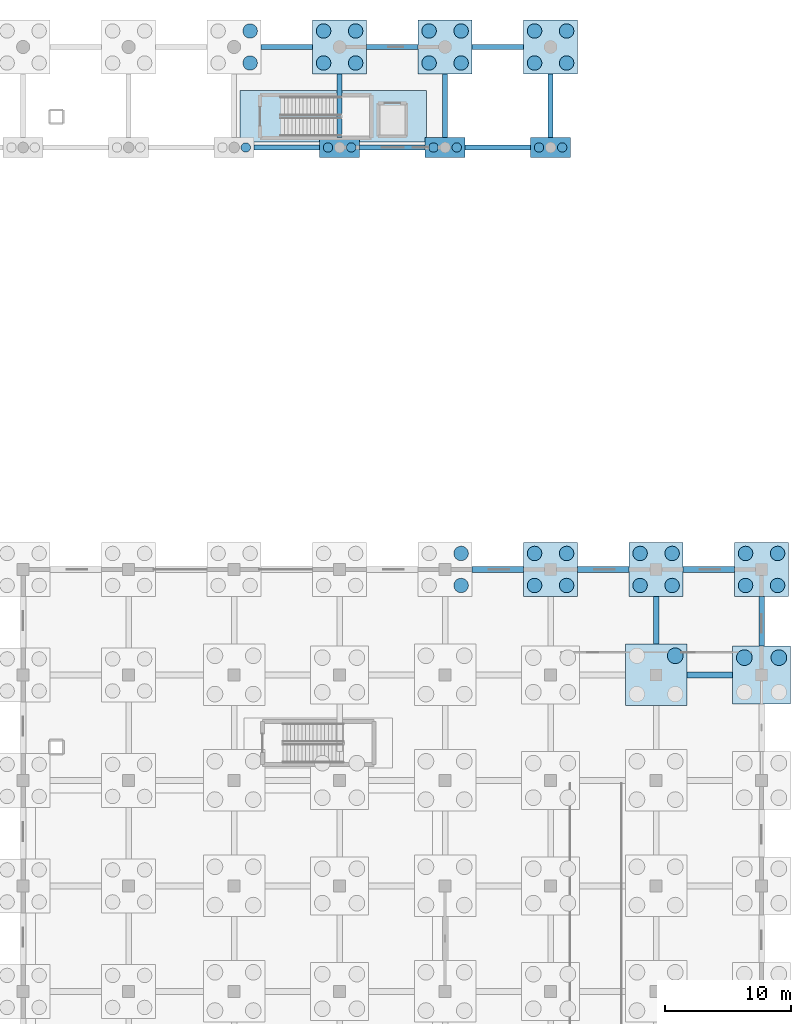
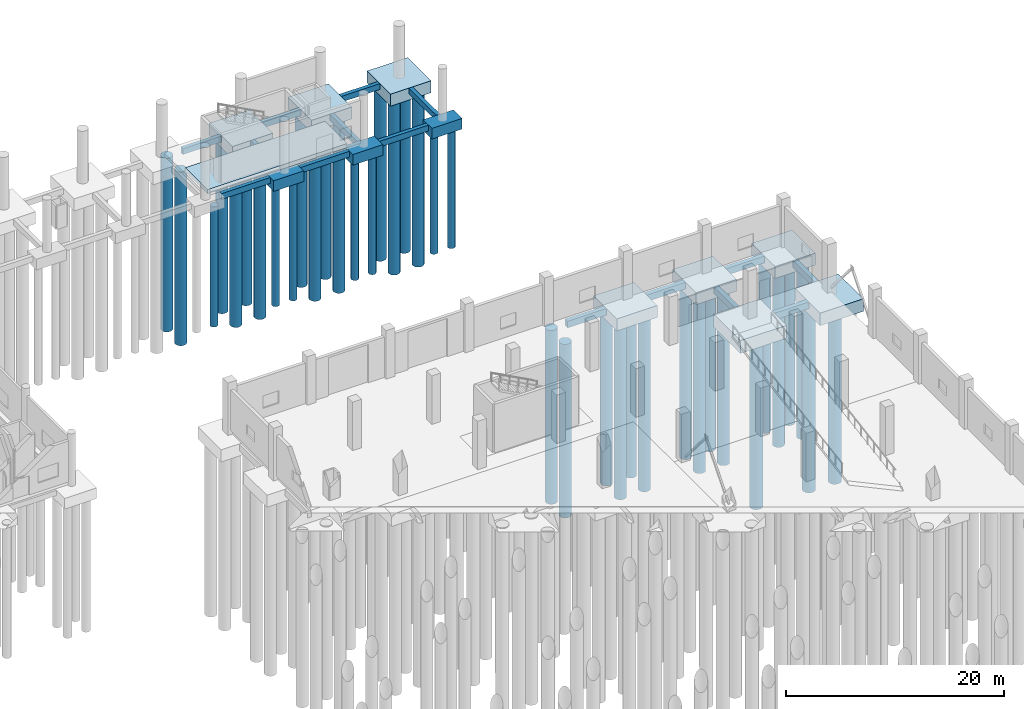
# One storey, part 10 of 83: 38 piles, 27 footings.
"""IFC4 building model written with IfcOpenShell, lengths in metres."""

from ifc_helpers import new_model, si_unit, direction, frame, origin, origin_2d, place, context, subcontext, project, spatial, rectangle, circle, extrude, material, material_profile, profile_set, type_object, element, save


model = new_model("IFC4")

# Units and contexts
model_context = context("Model", 3, precision=1e-05, world=origin(), true_north=direction((0.0, 1.0)))
body_context = subcontext(model_context, "Body", "Model", "MODEL_VIEW")
ifc_project = project(units=[si_unit("LENGTHUNIT", "METRE"), si_unit("AREAUNIT", "SQUARE_METRE"), si_unit("VOLUMEUNIT", "CUBIC_METRE"), si_unit("PLANEANGLEUNIT", "RADIAN"), si_unit("MASSUNIT", "GRAM", prefix="KILO"), si_unit("THERMODYNAMICTEMPERATUREUNIT", "KELVIN"), si_unit("POWERUNIT", "WATT")], contexts=[model_context])

# Site, building, storey
site_placement = place(None, origin())
site = spatial("IfcSite", under=ifc_project, at=site_placement, CompositionType="ELEMENT")
building_placement = place(site_placement, origin())
building = spatial("IfcBuilding", under=site, at=building_placement, Name="Mavoryth Pier Ferry Terminal", CompositionType="ELEMENT")
storey_placement = place(building_placement, origin())
storey = spatial("IfcBuildingStorey", under=building, at=storey_placement, Name="L00", CompositionType="ELEMENT", Elevation=0.0)

# Footings
ifc_material = material(Name="Concrete C35/45", Category="concrete")
footing_type_1 = type_object("IfcFootingType", Name="Cap-2P-3200x1600x1200", PredefinedType="PILE_CAP", material=ifc_material)
for number, where, z_axis, x_axis, name in (
    (1, (134.39990234375, 106.0, -1.66015625), (0.0, 0.0, 1.0), (1.0, 0.0, 0.0), "Foundation FD-V3-11-1"),
    (2, (142.800048828125, 106.0, -1.66015625), (0.0, 0.0, 1.0), (1.0, 0.0, 0.0), "Foundation FD-V3-12-1"),
    (3, (151.199951171875, 106.0, -1.66015625), (0.0, 0.0, 1.0), (1.0, 0.0, 0.0), "Foundation FD-V3-13-1"),
):
    element("IfcFooting", number, at=place(storey_placement, frame(where, z_axis=z_axis, x_axis=x_axis)), inside=storey, type_object=footing_type_1, Name=name, PredefinedType="PILE_CAP", context=body_context, shape_type="SweptSolid", body=[
        extrude(rectangle(XDim=3.199951171875, YDim=1.60009765625, at=origin_2d()), origin(), (0.0, 0.0, 1.0), 1.199951171875),
    ])
footing_type_2 = type_object("IfcFootingType", Name="Cap-4P-4300x4300x1350", PredefinedType="PILE_CAP", material=ifc_material)
for number, where, z_axis, x_axis, name in (
    (4, (134.39990234375, 114.0, -1.81005859375), (0.0, 0.0, 1.0), (1.0, 0.0, 0.0), "Foundation FD-V3-11-2"),
    (5, (142.800048828125, 114.0, -1.81005859375), (0.0, 0.0, 1.0), (1.0, 0.0, 0.0), "Foundation FD-V3-12-2"),
    (6, (151.199951171875, 114.0, -1.81005859375), (0.0, 0.0, 1.0), (1.0, 0.0, 0.0), "Foundation FD-V3-13-2"),
    (7, (151.199951171875, 72.39990234375, -1.81005859375), (0.0, 0.0, 1.0), (1.0, 0.0, 0.0), "Foundation FD-V4-6-8"),
    (8, (159.60009765625, 72.39990234375, -1.81005859375), (0.0, 0.0, 1.0), (1.0, 0.0, 0.0), "Foundation FD-V4-7-8"),
    (9, (168.0, 72.39990234375, -1.81005859375), (0.0, 0.0, 1.0), (1.0, 0.0, 0.0), "Foundation FD-V4-8-8"),
):
    element("IfcFooting", number, at=place(storey_placement, frame(where, z_axis=z_axis, x_axis=x_axis)), inside=storey, type_object=footing_type_2, Name=name, PredefinedType="PILE_CAP", context=body_context, shape_type="SweptSolid", body=[
        extrude(rectangle(XDim=4.300048828125, YDim=4.300048828125, at=origin_2d()), origin(), (0.0, 0.0, 1.0), 1.35009765625),
    ])
footing_type_3 = type_object("IfcFootingType", Name="Cap-4P-4600x4600x1400", PredefinedType="PILE_CAP", material=ifc_material)
footing_1_placement = place(storey_placement, frame((168.0, 64.0, -1.85986328125), z_axis=(0.0, 0.0, 1.0), x_axis=(1.0, 0.0, 0.0)))
element("IfcFooting", 10, at=footing_1_placement, inside=storey, type_object=footing_type_3, Name="Foundation FD-V4-8-7", PredefinedType="PILE_CAP", context=body_context, shape_type="SweptSolid", body=[
    extrude(rectangle(XDim=4.60009765625, YDim=4.60009765625, at=origin_2d()), origin(), (0.0, 0.0, 1.0), 1.39990234375),
])
footing_type_4 = type_object("IfcFootingType", Name="Cap-4P-4900x4900x1450", PredefinedType="PILE_CAP", material=ifc_material)
footing_2_placement = place(storey_placement, frame((159.60009765625, 64.0, -1.91015625), z_axis=(0.0, 0.0, 1.0), x_axis=(1.0, 0.0, 0.0)))
element("IfcFooting", 11, at=footing_2_placement, inside=storey, type_object=footing_type_4, Name="Foundation FD-V4-7-7", PredefinedType="PILE_CAP", context=body_context, shape_type="SweptSolid", body=[
    extrude(rectangle(XDim=4.89990234375, YDim=4.89990234375, at=origin_2d()), origin(), (0.0, 0.0, 1.0), 1.449951171875),
])
footing_type_5 = type_object("IfcFootingType", Name="Pad-CoreMat-14840x4100x460", PredefinedType="PAD_FOOTING", material=ifc_material)
footing_3_placement = place(storey_placement, frame((133.89990234375, 108.47509765625, -0.4599609375), z_axis=(0.0, 0.0, 1.0), x_axis=(1.0, 0.0, 0.0)))
element("IfcFooting", 12, at=footing_3_placement, inside=storey, type_object=footing_type_5, Name="Core Foundation Mat C3B", PredefinedType="PAD_FOOTING", context=body_context, shape_type="SweptSolid", body=[
    extrude(rectangle(XDim=14.840087890625, YDim=4.10009765625, at=origin_2d()), origin(), (0.0, 0.0, 1.0), 0.4599609375),
])

# Piles
ifc_material_profile_1 = material_profile(ifc_material, circle(Radius=0.574951171875, at=origin_2d()), Name="PILE D1150", Category="concrete")
ifc_profile_set_1 = profile_set([ifc_material_profile_1], Name="Concrete C35/45 - PILE D1150")
pile_type_1 = type_object("IfcPileType", Name="Pile-Bored-D1150", PredefinedType="BORED", material=ifc_profile_set_1)
for number, where, z_axis, x_axis, name in (
    (13, (127.27490234375, 112.72509765625, -1.7099609375), (0.0, 0.0, -1.0), (1.0, 0.0, 0.0), "Bored Pile FD-V3-10-2-P2"),
    (14, (127.27490234375, 115.27490234375, -1.7099609375), (0.0, 0.0, -1.0), (1.0, 0.0, 0.0), "Bored Pile FD-V3-10-2-P4"),
    (15, (133.125, 112.72509765625, -1.7099609375), (0.0, 0.0, -1.0), (1.0, 0.0, 0.0), "Bored Pile FD-V3-11-2-P1"),
    (16, (135.675048828125, 112.72509765625, -1.7099609375), (0.0, 0.0, -1.0), (1.0, 0.0, 0.0), "Bored Pile FD-V3-11-2-P2"),
    (17, (133.125, 115.27490234375, -1.7099609375), (0.0, 0.0, -1.0), (1.0, 0.0, 0.0), "Bored Pile FD-V3-11-2-P3"),
    (18, (135.675048828125, 115.27490234375, -1.7099609375), (0.0, 0.0, -1.0), (1.0, 0.0, 0.0), "Bored Pile FD-V3-11-2-P4"),
    (19, (141.52490234375, 112.72509765625, -1.7099609375), (0.0, 0.0, -1.0), (1.0, 0.0, 0.0), "Bored Pile FD-V3-12-2-P1"),
    (20, (144.074951171875, 112.72509765625, -1.7099609375), (0.0, 0.0, -1.0), (1.0, 0.0, 0.0), "Bored Pile FD-V3-12-2-P2"),
    (21, (141.52490234375, 115.27490234375, -1.7099609375), (0.0, 0.0, -1.0), (1.0, 0.0, 0.0), "Bored Pile FD-V3-12-2-P3"),
    (22, (144.074951171875, 115.27490234375, -1.7099609375), (0.0, 0.0, -1.0), (1.0, 0.0, 0.0), "Bored Pile FD-V3-12-2-P4"),
    (23, (149.925048828125, 112.72509765625, -1.7099609375), (0.0, 0.0, -1.0), (1.0, 0.0, 0.0), "Bored Pile FD-V3-13-2-P1"),
    (24, (152.47509765625, 112.72509765625, -1.7099609375), (0.0, 0.0, -1.0), (1.0, 0.0, 0.0), "Bored Pile FD-V3-13-2-P2"),
    (25, (149.925048828125, 115.27490234375, -1.7099609375), (0.0, 0.0, -1.0), (1.0, 0.0, 0.0), "Bored Pile FD-V3-13-2-P3"),
    (26, (152.47509765625, 115.27490234375, -1.7099609375), (0.0, 0.0, -1.0), (1.0, 0.0, 0.0), "Bored Pile FD-V3-13-2-P4"),
    (27, (144.074951171875, 71.125, -1.7099609375), (0.0, 0.0, -1.0), (1.0, 0.0, 0.0), "Bored Pile FD-V4-5-8-P2"),
    (28, (144.074951171875, 73.675048828125, -1.7099609375), (0.0, 0.0, -1.0), (1.0, 0.0, 0.0), "Bored Pile FD-V4-5-8-P4"),
    (29, (149.925048828125, 71.125, -1.7099609375), (0.0, 0.0, -1.0), (1.0, 0.0, 0.0), "Bored Pile FD-V4-6-8-P1"),
    (30, (152.47509765625, 71.125, -1.7099609375), (0.0, 0.0, -1.0), (1.0, 0.0, 0.0), "Bored Pile FD-V4-6-8-P2"),
    (31, (149.925048828125, 73.675048828125, -1.7099609375), (0.0, 0.0, -1.0), (1.0, 0.0, 0.0), "Bored Pile FD-V4-6-8-P3"),
    (32, (152.47509765625, 73.675048828125, -1.7099609375), (0.0, 0.0, -1.0), (1.0, 0.0, 0.0), "Bored Pile FD-V4-6-8-P4"),
    (33, (158.324951171875, 71.125, -1.7099609375), (0.0, 0.0, -1.0), (1.0, 0.0, 0.0), "Bored Pile FD-V4-7-8-P1"),
    (34, (160.875, 71.125, -1.7099609375), (0.0, 0.0, -1.0), (1.0, 0.0, 0.0), "Bored Pile FD-V4-7-8-P2"),
    (35, (158.324951171875, 73.675048828125, -1.7099609375), (0.0, 0.0, -1.0), (1.0, 0.0, 0.0), "Bored Pile FD-V4-7-8-P3"),
    (36, (160.875, 73.675048828125, -1.7099609375), (0.0, 0.0, -1.0), (1.0, 0.0, 0.0), "Bored Pile FD-V4-7-8-P4"),
    (37, (166.72509765625, 71.125, -1.7099609375), (0.0, 0.0, -1.0), (1.0, 0.0, 0.0), "Bored Pile FD-V4-8-8-P1"),
    (38, (169.27490234375, 71.125, -1.7099609375), (0.0, 0.0, -1.0), (1.0, 0.0, 0.0), "Bored Pile FD-V4-8-8-P2"),
    (39, (166.72509765625, 73.675048828125, -1.7099609375), (0.0, 0.0, -1.0), (1.0, 0.0, 0.0), "Bored Pile FD-V4-8-8-P3"),
    (40, (169.27490234375, 73.675048828125, -1.7099609375), (0.0, 0.0, -1.0), (1.0, 0.0, 0.0), "Bored Pile FD-V4-8-8-P4"),
):
    element("IfcPile", number, at=place(storey_placement, frame(where, z_axis=z_axis, x_axis=x_axis)), inside=storey, type_object=pile_type_1, Name=name, PredefinedType="BORED", context=body_context, shape_type="SweptSolid", body=[
        extrude(circle(Radius=0.574951171875, at=origin_2d()), origin(), (0.0, 0.0, 1.0), 19.5),
    ])
ifc_material_profile_2 = material_profile(ifc_material, circle(Radius=0.625, at=origin_2d()), Name="PILE D1250", Category="concrete")
ifc_profile_set_2 = profile_set([ifc_material_profile_2], Name="Concrete C35/45 - PILE D1250")
pile_type_2 = type_object("IfcPileType", Name="Pile-Bored-D1250", PredefinedType="BORED", material=ifc_profile_set_2)
for number, where, z_axis, x_axis, name in (
    (41, (161.125, 65.52490234375, -1.81005859375), (0.0, 0.0, -1.0), (1.0, 0.0, 0.0), "Bored Pile FD-V4-7-7-P4"),
    (42, (166.625, 65.375, -1.760009765625), (0.0, 0.0, -1.0), (1.0, 0.0, 0.0), "Bored Pile FD-V4-8-7-P3"),
    (43, (169.375, 65.375, -1.760009765625), (0.0, 0.0, -1.0), (1.0, 0.0, 0.0), "Bored Pile FD-V4-8-7-P4"),
):
    element("IfcPile", number, at=place(storey_placement, frame(where, z_axis=z_axis, x_axis=x_axis)), inside=storey, type_object=pile_type_2, Name=name, PredefinedType="BORED", context=body_context, shape_type="SweptSolid", body=[
        extrude(circle(Radius=0.625, at=origin_2d()), origin(), (0.0, 0.0, 1.0), 21.0),
    ])
ifc_material_profile_3 = material_profile(ifc_material, circle(Radius=0.375, at=origin_2d()), Name="PILE D750", Category="concrete")
ifc_profile_set_3 = profile_set([ifc_material_profile_3], Name="Concrete C35/45 - PILE D750")
pile_type_3 = type_object("IfcPileType", Name="Pile-Bored-D750", PredefinedType="BORED", material=ifc_profile_set_3)
for number, where, z_axis, x_axis, name in (
    (44, (126.925048828125, 106.0, -1.56005859375), (0.0, 0.0, -1.0), (1.0, 0.0, 0.0), "Bored Pile FD-V3-10-1-P2"),
    (45, (133.47509765625, 106.0, -1.56005859375), (0.0, 0.0, -1.0), (1.0, 0.0, 0.0), "Bored Pile FD-V3-11-1-P1"),
    (46, (135.324951171875, 106.0, -1.56005859375), (0.0, 0.0, -1.0), (1.0, 0.0, 0.0), "Bored Pile FD-V3-11-1-P2"),
    (47, (141.875, 106.0, -1.56005859375), (0.0, 0.0, -1.0), (1.0, 0.0, 0.0), "Bored Pile FD-V3-12-1-P1"),
    (48, (143.72509765625, 106.0, -1.56005859375), (0.0, 0.0, -1.0), (1.0, 0.0, 0.0), "Bored Pile FD-V3-12-1-P2"),
    (49, (150.27490234375, 106.0, -1.56005859375), (0.0, 0.0, -1.0), (1.0, 0.0, 0.0), "Bored Pile FD-V3-13-1-P1"),
    (50, (152.125, 106.0, -1.56005859375), (0.0, 0.0, -1.0), (1.0, 0.0, 0.0), "Bored Pile FD-V3-13-1-P2"),
):
    element("IfcPile", number, at=place(storey_placement, frame(where, z_axis=z_axis, x_axis=x_axis)), inside=storey, type_object=pile_type_3, Name=name, PredefinedType="BORED", context=body_context, shape_type="SweptSolid", body=[
        extrude(circle(Radius=0.375, at=origin_2d()), origin(), (0.0, 0.0, 1.0), 13.5),
    ])

# Footings
ifc_material_profile_4 = material_profile(ifc_material, rectangle(XDim=0.39990234375, YDim=0.64990234375, at=origin_2d()), Name="RC 400x650", Category="concrete")
ifc_profile_set_4 = profile_set([ifc_material_profile_4], Name="Concrete C35/45 - RC 400x650")
footing_type_6 = type_object("IfcFootingType", Name="TieBeam-RC-400x650", PredefinedType="FOOTING_BEAM", material=ifc_profile_set_4)
for number, where, z_axis, x_axis, name in (
    (51, (127.60009765625, 106.0, -0.784912109375), (1.0, 0.0, 0.0), (0.0, 1.0, 0.0), "Footing Tie Beam 190"),
    (52, (136.0, 106.0, -0.784912109375), (1.0, 0.0, 0.0), (0.0, 1.0, 0.0), "Footing Tie Beam 191"),
):
    element("IfcFooting", number, at=place(storey_placement, frame(where, z_axis=z_axis, x_axis=x_axis)), inside=storey, type_object=footing_type_6, Name=name, PredefinedType="FOOTING_BEAM", context=body_context, shape_type="SweptSolid", body=[
        extrude(rectangle(XDim=0.39990234375, YDim=0.64990234375, at=origin_2d()), origin(), (0.0, 0.0, 1.0), 5.199951171875),
    ])
footing_4_placement = place(storey_placement, frame((144.39990234375, 106.0, -0.784912109375), z_axis=(1.0, 0.0, 0.0), x_axis=(0.0, 1.0, 0.0)))
element("IfcFooting", 53, at=footing_4_placement, inside=storey, type_object=footing_type_6, Name="Footing Tie Beam 192", PredefinedType="FOOTING_BEAM", context=body_context, shape_type="SweptSolid", body=[
    extrude(rectangle(XDim=0.39990234375, YDim=0.64990234375, at=origin_2d()), origin(), (0.0, 0.0, 1.0), 5.2001953125),
])
footing_5_placement = place(storey_placement, frame((128.14990234375, 114.0, -0.784912109375), z_axis=(1.0, 0.0, 0.0), x_axis=(0.0, 1.0, 0.0)))
element("IfcFooting", 54, at=footing_5_placement, inside=storey, type_object=footing_type_6, Name="Footing Tie Beam 197", PredefinedType="FOOTING_BEAM", context=body_context, shape_type="SweptSolid", body=[
    extrude(rectangle(XDim=0.39990234375, YDim=0.64990234375, at=origin_2d()), origin(), (0.0, 0.0, 1.0), 4.10009765625),
])
footing_6_placement = place(storey_placement, frame((136.550048828125, 114.0, -0.784912109375), z_axis=(1.0, 0.0, 0.0), x_axis=(0.0, 1.0, 0.0)))
element("IfcFooting", 55, at=footing_6_placement, inside=storey, type_object=footing_type_6, Name="Footing Tie Beam 198", PredefinedType="FOOTING_BEAM", context=body_context, shape_type="SweptSolid", body=[
    extrude(rectangle(XDim=0.39990234375, YDim=0.64990234375, at=origin_2d()), origin(), (0.0, 0.0, 1.0), 4.099853515625),
])
footing_7_placement = place(storey_placement, frame((144.949951171875, 114.0, -0.784912109375), z_axis=(1.0, 0.0, 0.0), x_axis=(0.0, 1.0, 0.0)))
element("IfcFooting", 56, at=footing_7_placement, inside=storey, type_object=footing_type_6, Name="Footing Tie Beam 199", PredefinedType="FOOTING_BEAM", context=body_context, shape_type="SweptSolid", body=[
    extrude(rectangle(XDim=0.39990234375, YDim=0.64990234375, at=origin_2d()), origin(), (0.0, 0.0, 1.0), 4.10009765625),
])
for number, where, z_axis, x_axis, name in (
    (57, (134.39990234375, 106.800048828125, -0.784912109375), (0.0, 1.0, 0.0), (-1.0, 0.0, 0.0), "Footing Tie Beam 204"),
    (58, (142.800048828125, 106.800048828125, -0.784912109375), (0.0, 1.0, 0.0), (-1.0, 0.0, 0.0), "Footing Tie Beam 205"),
    (59, (151.199951171875, 106.800048828125, -0.784912109375), (0.0, 1.0, 0.0), (-1.0, 0.0, 0.0), "Footing Tie Beam 206"),
):
    element("IfcFooting", number, at=place(storey_placement, frame(where, z_axis=z_axis, x_axis=x_axis)), inside=storey, type_object=footing_type_6, Name=name, PredefinedType="FOOTING_BEAM", context=body_context, shape_type="SweptSolid", body=[
        extrude(rectangle(XDim=0.39990234375, YDim=0.64990234375, at=origin_2d()), origin(), (0.0, 0.0, 1.0), 5.050048828125),
    ])
ifc_material_profile_5 = material_profile(ifc_material, rectangle(XDim=0.449951171875, YDim=0.75, at=origin_2d()), Name="RC 450x750", Category="concrete")
ifc_profile_set_5 = profile_set([ifc_material_profile_5], Name="Concrete C35/45 - RC 450x750")
footing_type_7 = type_object("IfcFootingType", Name="TieBeam-RC-450x750", PredefinedType="FOOTING_BEAM", material=ifc_profile_set_5)
footing_8_placement = place(storey_placement, frame((162.050048828125, 64.0, -0.8349609375), z_axis=(1.0, 0.0, 0.0), x_axis=(0.0, 1.0, 0.0)))
element("IfcFooting", 60, at=footing_8_placement, inside=storey, type_object=footing_type_7, Name="Footing Tie Beam 255", PredefinedType="FOOTING_BEAM", context=body_context, shape_type="SweptSolid", body=[
    extrude(rectangle(XDim=0.449951171875, YDim=0.75, at=origin_2d()), origin(), (0.0, 0.0, 1.0), 3.64990234375),
])
footing_9_placement = place(storey_placement, frame((144.949951171875, 72.39990234375, -0.8349609375), z_axis=(1.0, 0.0, 0.0), x_axis=(0.0, 1.0, 0.0)))
element("IfcFooting", 61, at=footing_9_placement, inside=storey, type_object=footing_type_7, Name="Footing Tie Beam 260", PredefinedType="FOOTING_BEAM", context=body_context, shape_type="SweptSolid", body=[
    extrude(rectangle(XDim=0.449951171875, YDim=0.75, at=origin_2d()), origin(), (0.0, 0.0, 1.0), 4.10009765625),
])
footing_10_placement = place(storey_placement, frame((153.35009765625, 72.39990234375, -0.8349609375), z_axis=(1.0, 0.0, 0.0), x_axis=(0.0, 1.0, 0.0)))
element("IfcFooting", 62, at=footing_10_placement, inside=storey, type_object=footing_type_7, Name="Footing Tie Beam 261", PredefinedType="FOOTING_BEAM", context=body_context, shape_type="SweptSolid", body=[
    extrude(rectangle(XDim=0.449951171875, YDim=0.75, at=origin_2d()), origin(), (0.0, 0.0, 1.0), 4.099853515625),
])
footing_11_placement = place(storey_placement, frame((161.75, 72.39990234375, -0.8349609375), z_axis=(1.0, 0.0, 0.0), x_axis=(0.0, 1.0, 0.0)))
element("IfcFooting", 63, at=footing_11_placement, inside=storey, type_object=footing_type_7, Name="Footing Tie Beam 262", PredefinedType="FOOTING_BEAM", context=body_context, shape_type="SweptSolid", body=[
    extrude(rectangle(XDim=0.449951171875, YDim=0.75, at=origin_2d()), origin(), (0.0, 0.0, 1.0), 4.10009765625),
])
footing_12_placement = place(storey_placement, frame((159.60009765625, 66.449951171875, -0.8349609375), z_axis=(0.0, 1.0, 0.0), x_axis=(-1.0, 0.0, 0.0)))
element("IfcFooting", 64, at=footing_12_placement, inside=storey, type_object=footing_type_7, Name="Footing Tie Beam 311", PredefinedType="FOOTING_BEAM", context=body_context, shape_type="SweptSolid", body=[
    extrude(rectangle(XDim=0.449951171875, YDim=0.75, at=origin_2d()), origin(), (0.0, 0.0, 1.0), 3.800048828125),
])
footing_13_placement = place(storey_placement, frame((168.0, 66.300048828125, -0.8349609375), z_axis=(0.0, 1.0, 0.0), x_axis=(-1.0, 0.0, 0.0)))
element("IfcFooting", 65, at=footing_13_placement, inside=storey, type_object=footing_type_7, Name="Footing Tie Beam 318", PredefinedType="FOOTING_BEAM", context=body_context, shape_type="SweptSolid", body=[
    extrude(rectangle(XDim=0.449951171875, YDim=0.75, at=origin_2d()), origin(), (0.0, 0.0, 1.0), 3.949951171875),
])

save(model, "model.ifc")
